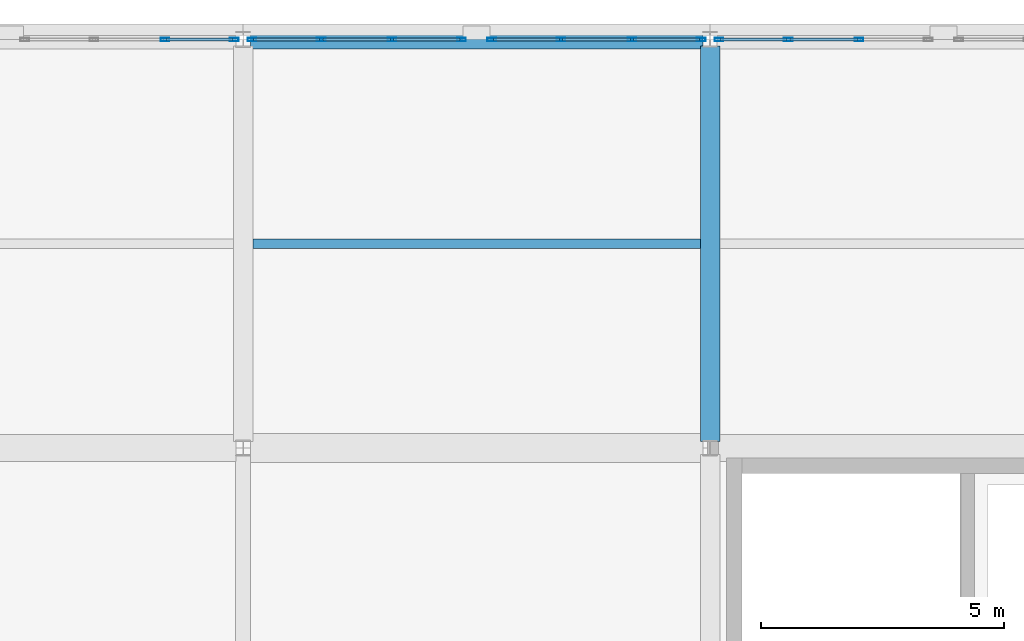
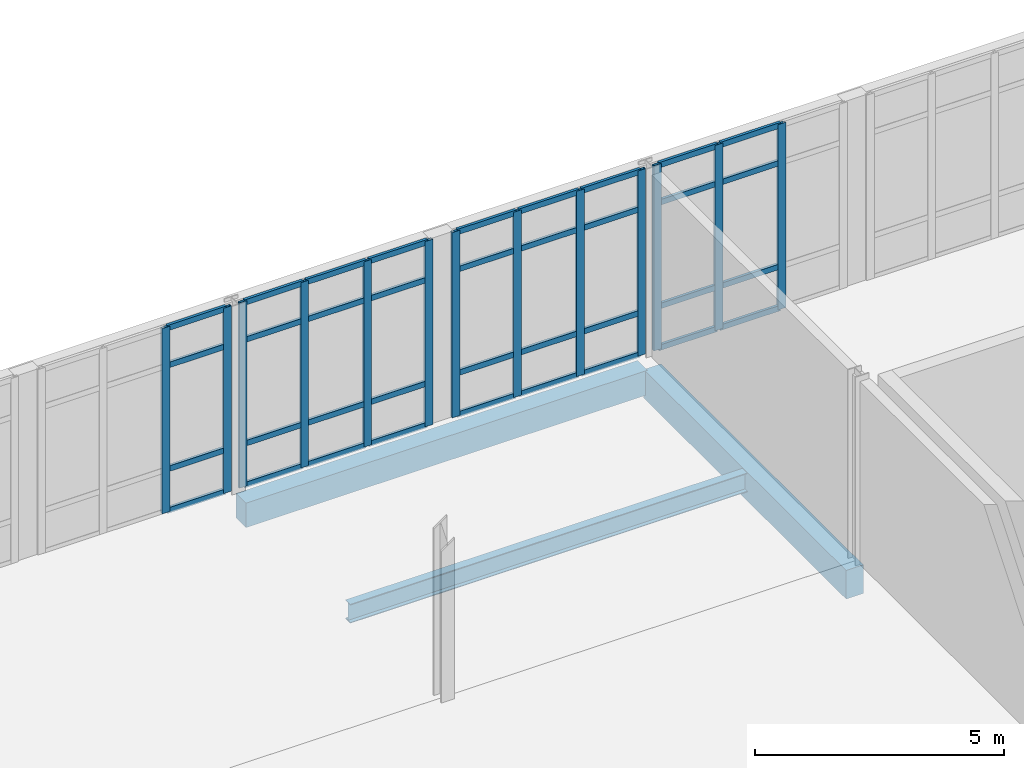
# One storey, part 51 of 88: 49 members, 3 beams, 4 elements without a shape of their own.
"""IFC4 building model written with IfcOpenShell, lengths in metres."""

from ifc_helpers import new_model, si_unit, direction, frame, origin, origin_2d, place, context, subcontext, project, spatial, rectangle, hollow_rectangle, i_section, extrude, material, layer, layer_set, material_profile, profile_set, type_object, element, aggregate, save


model = new_model("IFC4")

# Units and contexts
model_context = context("Model", 3, precision=1e-05, world=origin(), true_north=direction((0.0, 1.0)))
body_context = subcontext(model_context, "Body", "Model", "MODEL_VIEW")
ifc_project = project(units=[si_unit("LENGTHUNIT", "METRE"), si_unit("AREAUNIT", "SQUARE_METRE"), si_unit("VOLUMEUNIT", "CUBIC_METRE"), si_unit("PLANEANGLEUNIT", "RADIAN"), si_unit("MASSUNIT", "GRAM", prefix="KILO")], contexts=[model_context])

# Site, building, storey
site_placement = place(None, origin())
site = spatial("IfcSite", under=ifc_project, at=site_placement, CompositionType="ELEMENT")
building_placement = place(site_placement, origin())
building = spatial("IfcBuilding", under=site, at=building_placement, Name="Lornevale Opera House", CompositionType="ELEMENT")
storey_placement = place(building_placement, frame((0.0, 0.0, 10.199951171875)))
storey = spatial("IfcBuildingStorey", under=building, at=storey_placement, Name="L03", CompositionType="ELEMENT", Elevation=10.199951171875)

# Beams
ifc_material_1 = material(Name="Concrete 35 MPa (CSA A23.1 N)", Category="concrete")
ifc_material_profile_1 = material_profile(ifc_material_1, rectangle(XDim=0.39990234375, YDim=0.699951171875, at=origin_2d()), Name="RC400x700")
ifc_profile_set_1 = profile_set([ifc_material_profile_1], Name="Concrete 35 MPa (CSA A23.1 N)")
beam_type_1 = type_object("IfcBeamType", Name="Concrete Floor Beam 400x700", PredefinedType="USERDEFINED", material=ifc_profile_set_1)
beam_1_placement = place(storey_placement, frame((19.199951171875, 92.53759765625, -0.6298828125), z_axis=(0.0, 1.0, 0.0), x_axis=(-1.0, 0.0, 0.0)))
element("IfcBeam", 1, at=beam_1_placement, inside=storey, type_object=beam_type_1, Name="Concrete Floor Beam 400x700 2244", ObjectType="GIRDER", PredefinedType="USERDEFINED", context=body_context, shape_type="SweptSolid", body=[
    extrude(rectangle(XDim=0.39990234375, YDim=0.699951171875, at=origin_2d()), origin(), (0.0, 0.0, 1.0), 8.125),
])
ifc_material_profile_2 = material_profile(ifc_material_1, rectangle(XDim=0.39990234375, YDim=0.60009765625, at=origin_2d()), Name="RC400x600")
ifc_profile_set_2 = profile_set([ifc_material_profile_2], Name="Concrete 35 MPa (CSA A23.1 N)")
beam_type_2 = type_object("IfcBeamType", Name="Concrete Spandrel Beam 400x600", PredefinedType="SPANDREL", material=ifc_profile_set_2)
beam_2_placement = place(storey_placement, frame((9.7470703125, 100.800048828125, -0.579833984375), z_axis=(1.0, 0.0, 0.0), x_axis=(0.0, 1.0, 0.0)))
element("IfcBeam", 2, at=beam_2_placement, inside=storey, type_object=beam_type_2, Name="Concrete Spandrel Beam 400x600 2215", PredefinedType="SPANDREL", context=body_context, shape_type="SweptSolid", body=[
    extrude(rectangle(XDim=0.39990234375, YDim=0.60009765625, at=origin_2d()), origin(), (0.0, 0.0, 1.0), 9.305908203125),
])

# Curtain wall, members
ifc_material_2 = material(Name="Anodized Oxide-Green Aluminium Framing", Category="aluminium")
ifc_layer = layer(ifc_material_2, 0.175048828125)
ifc_layer_set = layer_set([ifc_layer], Name="Anodized Oxide-Green Aluminium Framing")
curtain_wall_type = type_object("IfcCurtainWallType", Name="Chamber Cloister Curtain Wall M1700", PredefinedType="NOTDEFINED", material=ifc_layer_set)
curtain_wall_1_placement = place(storey_placement, origin())
curtain_wall_1 = element("IfcCurtainWall", 3, at=curtain_wall_1_placement, inside=storey, type_object=curtain_wall_type, Name="Chamber Cloister Curtain Wall M1700 CW-099", PredefinedType="NOTDEFINED")
ifc_material_profile_3 = material_profile(ifc_material_2, hollow_rectangle(XDim=0.06494140625, YDim=0.179931640625, WallThickness=0.0048828125, at=origin_2d()), Name="ALU65x180x5")
ifc_profile_set_3 = profile_set([ifc_material_profile_3], Name="Anodized Oxide-Green Aluminium Framing")
member_type_1 = type_object("IfcMemberType", Name="Curtain Wall Mullion 65x180", PredefinedType="MULLION", material=ifc_profile_set_3)
member_1_placement = place(storey_placement, frame((7.992919921875, 100.800048828125, 0.0), z_axis=(0.0, 0.0, 1.0), x_axis=(0.0, 1.0, 0.0)))
member_1 = element("IfcMember", 4, at=member_1_placement, type_object=member_type_1, Name="Curtain Wall Mullion 65x180 CW1997", PredefinedType="MULLION", context=body_context, shape_type="SweptSolid", body=[
    extrude(hollow_rectangle(XDim=0.06494140625, YDim=0.179931640625, WallThickness=0.0048828125, at=origin_2d()), origin(), (0.0, 0.0, 1.0), 4.5400390625),
])
member_2_placement = place(storey_placement, frame((9.4169921875, 100.800048828125, 0.0), z_axis=(0.0, 0.0, 1.0), x_axis=(0.0, 1.0, 0.0)))
member_2 = element("IfcMember", 5, at=member_2_placement, type_object=member_type_1, Name="Curtain Wall Mullion 65x180 CW1998", PredefinedType="MULLION", context=body_context, shape_type="SweptSolid", body=[
    extrude(hollow_rectangle(XDim=0.06494140625, YDim=0.179931640625, WallThickness=0.0048828125, at=origin_2d()), origin(), (0.0, 0.0, 1.0), 4.5400390625),
])

curtain_wall_2_placement = place(storey_placement, origin())
curtain_wall_2 = element("IfcCurtainWall", 6, at=curtain_wall_2_placement, inside=storey, type_object=curtain_wall_type, Name="Chamber Cloister Curtain Wall M1700 CW-106", PredefinedType="NOTDEFINED")
member_3_placement = place(storey_placement, frame((9.782958984375, 100.800048828125, 0.0), z_axis=(0.0, 0.0, 1.0), x_axis=(0.0, 1.0, 0.0)))
member_3 = element("IfcMember", 7, at=member_3_placement, type_object=member_type_1, Name="Curtain Wall Mullion 65x180 CW2170", PredefinedType="MULLION", context=body_context, shape_type="SweptSolid", body=[
    extrude(hollow_rectangle(XDim=0.06494140625, YDim=0.179931640625, WallThickness=0.0048828125, at=origin_2d()), origin(), (0.0, 0.0, 1.0), 4.5400390625),
])
member_4_placement = place(storey_placement, frame((11.20703125, 100.800048828125, 0.0), z_axis=(0.0, 0.0, 1.0), x_axis=(0.0, 1.0, 0.0)))
member_4 = element("IfcMember", 8, at=member_4_placement, type_object=member_type_1, Name="Curtain Wall Mullion 65x180 CW2171", PredefinedType="MULLION", context=body_context, shape_type="SweptSolid", body=[
    extrude(hollow_rectangle(XDim=0.06494140625, YDim=0.179931640625, WallThickness=0.0048828125, at=origin_2d()), origin(), (0.0, 0.0, 1.0), 4.5400390625),
])
member_5_placement = place(storey_placement, frame((12.66357421875, 100.800048828125, 0.0), z_axis=(0.0, 0.0, 1.0), x_axis=(0.0, 1.0, 0.0)))
member_5 = element("IfcMember", 9, at=member_5_placement, type_object=member_type_1, Name="Curtain Wall Mullion 65x180 CW2172", PredefinedType="MULLION", context=body_context, shape_type="SweptSolid", body=[
    extrude(hollow_rectangle(XDim=0.06494140625, YDim=0.179931640625, WallThickness=0.0048828125, at=origin_2d()), origin(), (0.0, 0.0, 1.0), 4.5400390625),
])
member_6_placement = place(storey_placement, frame((14.08740234375, 100.800048828125, 0.0), z_axis=(0.0, 0.0, 1.0), x_axis=(0.0, 1.0, 0.0)))
member_6 = element("IfcMember", 10, at=member_6_placement, type_object=member_type_1, Name="Curtain Wall Mullion 65x180 CW2173", PredefinedType="MULLION", context=body_context, shape_type="SweptSolid", body=[
    extrude(hollow_rectangle(XDim=0.06494140625, YDim=0.179931640625, WallThickness=0.0048828125, at=origin_2d()), origin(), (0.0, 0.0, 1.0), 4.5400390625),
])

curtain_wall_3_placement = place(storey_placement, origin())
curtain_wall_3 = element("IfcCurtainWall", 11, at=curtain_wall_3_placement, inside=storey, type_object=curtain_wall_type, Name="Chamber Cloister Curtain Wall M1700 CW-107", PredefinedType="NOTDEFINED")
member_7_placement = place(storey_placement, frame((14.71240234375, 100.800048828125, 0.0), z_axis=(0.0, 0.0, 1.0), x_axis=(0.0, 1.0, 0.0)))
member_7 = element("IfcMember", 12, at=member_7_placement, type_object=member_type_1, Name="Curtain Wall Mullion 65x180 CW2195", PredefinedType="MULLION", context=body_context, shape_type="SweptSolid", body=[
    extrude(hollow_rectangle(XDim=0.06494140625, YDim=0.179931640625, WallThickness=0.0048828125, at=origin_2d()), origin(), (0.0, 0.0, 1.0), 4.5400390625),
])
member_8_placement = place(storey_placement, frame((16.136474609375, 100.800048828125, 0.0), z_axis=(0.0, 0.0, 1.0), x_axis=(0.0, 1.0, 0.0)))
member_8 = element("IfcMember", 13, at=member_8_placement, type_object=member_type_1, Name="Curtain Wall Mullion 65x180 CW2196", PredefinedType="MULLION", context=body_context, shape_type="SweptSolid", body=[
    extrude(hollow_rectangle(XDim=0.06494140625, YDim=0.179931640625, WallThickness=0.0048828125, at=origin_2d()), origin(), (0.0, 0.0, 1.0), 4.5400390625),
])
member_9_placement = place(storey_placement, frame((17.593017578125, 100.800048828125, 0.0), z_axis=(0.0, 0.0, 1.0), x_axis=(0.0, 1.0, 0.0)))
member_9 = element("IfcMember", 14, at=member_9_placement, type_object=member_type_1, Name="Curtain Wall Mullion 65x180 CW2197", PredefinedType="MULLION", context=body_context, shape_type="SweptSolid", body=[
    extrude(hollow_rectangle(XDim=0.06494140625, YDim=0.179931640625, WallThickness=0.0048828125, at=origin_2d()), origin(), (0.0, 0.0, 1.0), 4.5400390625),
])
member_10_placement = place(storey_placement, frame((19.01708984375, 100.800048828125, 0.0), z_axis=(0.0, 0.0, 1.0), x_axis=(0.0, 1.0, 0.0)))
member_10 = element("IfcMember", 15, at=member_10_placement, type_object=member_type_1, Name="Curtain Wall Mullion 65x180 CW2198", PredefinedType="MULLION", context=body_context, shape_type="SweptSolid", body=[
    extrude(hollow_rectangle(XDim=0.06494140625, YDim=0.179931640625, WallThickness=0.0048828125, at=origin_2d()), origin(), (0.0, 0.0, 1.0), 4.5400390625),
])

curtain_wall_4_placement = place(storey_placement, origin())
curtain_wall_4 = element("IfcCurtainWall", 16, at=curtain_wall_4_placement, inside=storey, type_object=curtain_wall_type, Name="Chamber Cloister Curtain Wall M1700 CW-114", PredefinedType="NOTDEFINED")
member_11_placement = place(storey_placement, frame((19.383056640625, 100.800048828125, 0.0), z_axis=(0.0, 0.0, 1.0), x_axis=(0.0, 1.0, 0.0)))
member_11 = element("IfcMember", 17, at=member_11_placement, type_object=member_type_1, Name="Curtain Wall Mullion 65x180 CW2370", PredefinedType="MULLION", context=body_context, shape_type="SweptSolid", body=[
    extrude(hollow_rectangle(XDim=0.06494140625, YDim=0.179931640625, WallThickness=0.0048828125, at=origin_2d()), origin(), (0.0, 0.0, 1.0), 4.5400390625),
])
member_12_placement = place(storey_placement, frame((20.806884765625, 100.800048828125, 0.0), z_axis=(0.0, 0.0, 1.0), x_axis=(0.0, 1.0, 0.0)))
member_12 = element("IfcMember", 18, at=member_12_placement, type_object=member_type_1, Name="Curtain Wall Mullion 65x180 CW2371", PredefinedType="MULLION", context=body_context, shape_type="SweptSolid", body=[
    extrude(hollow_rectangle(XDim=0.06494140625, YDim=0.179931640625, WallThickness=0.0048828125, at=origin_2d()), origin(), (0.0, 0.0, 1.0), 4.5400390625),
])
member_13_placement = place(storey_placement, frame((22.263427734375, 100.800048828125, 0.0), z_axis=(0.0, 0.0, 1.0), x_axis=(0.0, 1.0, 0.0)))
member_13 = element("IfcMember", 19, at=member_13_placement, type_object=member_type_1, Name="Curtain Wall Mullion 65x180 CW2372", PredefinedType="MULLION", context=body_context, shape_type="SweptSolid", body=[
    extrude(hollow_rectangle(XDim=0.06494140625, YDim=0.179931640625, WallThickness=0.0048828125, at=origin_2d()), origin(), (0.0, 0.0, 1.0), 4.5400390625),
])

# Member
ifc_material_profile_4 = material_profile(ifc_material_2, hollow_rectangle(XDim=0.06494140625, YDim=0.135009765625, WallThickness=0.00390625, at=origin_2d()), Name="ALU65x135x4")
ifc_profile_set_4 = profile_set([ifc_material_profile_4], Name="Anodized Oxide-Green Aluminium Framing")
member_type_2 = type_object("IfcMemberType", Name="Curtain Wall Transom 65x135", PredefinedType="USERDEFINED", material=ifc_profile_set_4)
member_14_placement = place(storey_placement, frame((8.025390625, 100.800048828125, 0.032470703125), z_axis=(1.0, 0.0, 0.0), x_axis=(0.0, 1.0, 0.0)))
member_14 = element("IfcMember", 20, at=member_14_placement, type_object=member_type_2, Name="Curtain Wall Transom 65x135 CW2013", ObjectType="TRANSOM", PredefinedType="USERDEFINED", context=body_context, shape_type="SweptSolid", body=[
    extrude(hollow_rectangle(XDim=0.06494140625, YDim=0.135009765625, WallThickness=0.00390625, at=origin_2d()), origin(), (0.0, 0.0, 1.0), 1.359130859375),
])

member_15_placement = place(storey_placement, frame((8.025390625, 100.800048828125, 1.050048828125), z_axis=(1.0, 0.0, 0.0), x_axis=(0.0, 1.0, 0.0)))
member_15 = element("IfcMember", 21, at=member_15_placement, type_object=member_type_2, Name="Curtain Wall Transom 65x135 CW2014", ObjectType="TRANSOM", PredefinedType="USERDEFINED", context=body_context, shape_type="SweptSolid", body=[
    extrude(hollow_rectangle(XDim=0.06494140625, YDim=0.135009765625, WallThickness=0.00390625, at=origin_2d()), origin(), (0.0, 0.0, 1.0), 1.359130859375),
])

member_16_placement = place(storey_placement, frame((8.025390625, 100.800048828125, 3.590087890625), z_axis=(1.0, 0.0, 0.0), x_axis=(0.0, 1.0, 0.0)))
member_16 = element("IfcMember", 22, at=member_16_placement, type_object=member_type_2, Name="Curtain Wall Transom 65x135 CW2015", ObjectType="TRANSOM", PredefinedType="USERDEFINED", context=body_context, shape_type="SweptSolid", body=[
    extrude(hollow_rectangle(XDim=0.06494140625, YDim=0.135009765625, WallThickness=0.00390625, at=origin_2d()), origin(), (0.0, 0.0, 1.0), 1.359130859375),
])

member_17_placement = place(storey_placement, frame((8.025390625, 100.800048828125, 4.507568359375), z_axis=(1.0, 0.0, 0.0), x_axis=(0.0, 1.0, 0.0)))
member_17 = element("IfcMember", 23, at=member_17_placement, type_object=member_type_2, Name="Curtain Wall Transom 65x135 CW2016", ObjectType="TRANSOM", PredefinedType="USERDEFINED", context=body_context, shape_type="SweptSolid", body=[
    extrude(hollow_rectangle(XDim=0.06494140625, YDim=0.135009765625, WallThickness=0.00390625, at=origin_2d()), origin(), (0.0, 0.0, 1.0), 1.359130859375),
])

aggregate(curtain_wall_1, [member_1, member_2, member_14, member_15, member_16, member_17])

member_18_placement = place(storey_placement, frame((9.8154296875, 100.800048828125, 0.032470703125), z_axis=(1.0, 0.0, 0.0), x_axis=(0.0, 1.0, 0.0)))
member_18 = element("IfcMember", 24, at=member_18_placement, type_object=member_type_2, Name="Curtain Wall Transom 65x135 CW2174", ObjectType="TRANSOM", PredefinedType="USERDEFINED", context=body_context, shape_type="SweptSolid", body=[
    extrude(hollow_rectangle(XDim=0.06494140625, YDim=0.135009765625, WallThickness=0.00390625, at=origin_2d()), origin(), (0.0, 0.0, 1.0), 1.359130859375),
])

member_19_placement = place(storey_placement, frame((9.8154296875, 100.800048828125, 1.050048828125), z_axis=(1.0, 0.0, 0.0), x_axis=(0.0, 1.0, 0.0)))
member_19 = element("IfcMember", 25, at=member_19_placement, type_object=member_type_2, Name="Curtain Wall Transom 65x135 CW2175", ObjectType="TRANSOM", PredefinedType="USERDEFINED", context=body_context, shape_type="SweptSolid", body=[
    extrude(hollow_rectangle(XDim=0.06494140625, YDim=0.135009765625, WallThickness=0.00390625, at=origin_2d()), origin(), (0.0, 0.0, 1.0), 1.359130859375),
])

member_20_placement = place(storey_placement, frame((9.8154296875, 100.800048828125, 3.590087890625), z_axis=(1.0, 0.0, 0.0), x_axis=(0.0, 1.0, 0.0)))
member_20 = element("IfcMember", 26, at=member_20_placement, type_object=member_type_2, Name="Curtain Wall Transom 65x135 CW2176", ObjectType="TRANSOM", PredefinedType="USERDEFINED", context=body_context, shape_type="SweptSolid", body=[
    extrude(hollow_rectangle(XDim=0.06494140625, YDim=0.135009765625, WallThickness=0.00390625, at=origin_2d()), origin(), (0.0, 0.0, 1.0), 1.359130859375),
])

member_21_placement = place(storey_placement, frame((9.8154296875, 100.800048828125, 4.507568359375), z_axis=(1.0, 0.0, 0.0), x_axis=(0.0, 1.0, 0.0)))
member_21 = element("IfcMember", 27, at=member_21_placement, type_object=member_type_2, Name="Curtain Wall Transom 65x135 CW2177", ObjectType="TRANSOM", PredefinedType="USERDEFINED", context=body_context, shape_type="SweptSolid", body=[
    extrude(hollow_rectangle(XDim=0.06494140625, YDim=0.135009765625, WallThickness=0.00390625, at=origin_2d()), origin(), (0.0, 0.0, 1.0), 1.359130859375),
])

member_22_placement = place(storey_placement, frame((11.239501953125, 100.800048828125, 0.032470703125), z_axis=(1.0, 0.0, 0.0), x_axis=(0.0, 1.0, 0.0)))
member_22 = element("IfcMember", 28, at=member_22_placement, type_object=member_type_2, Name="Curtain Wall Transom 65x135 CW2181", ObjectType="TRANSOM", PredefinedType="USERDEFINED", context=body_context, shape_type="SweptSolid", body=[
    extrude(hollow_rectangle(XDim=0.06494140625, YDim=0.135009765625, WallThickness=0.00390625, at=origin_2d()), origin(), (0.0, 0.0, 1.0), 1.3916015625),
])

member_23_placement = place(storey_placement, frame((11.239501953125, 100.800048828125, 1.050048828125), z_axis=(1.0, 0.0, 0.0), x_axis=(0.0, 1.0, 0.0)))
member_23 = element("IfcMember", 29, at=member_23_placement, type_object=member_type_2, Name="Curtain Wall Transom 65x135 CW2182", ObjectType="TRANSOM", PredefinedType="USERDEFINED", context=body_context, shape_type="SweptSolid", body=[
    extrude(hollow_rectangle(XDim=0.06494140625, YDim=0.135009765625, WallThickness=0.00390625, at=origin_2d()), origin(), (0.0, 0.0, 1.0), 1.3916015625),
])

member_24_placement = place(storey_placement, frame((11.239501953125, 100.800048828125, 3.590087890625), z_axis=(1.0, 0.0, 0.0), x_axis=(0.0, 1.0, 0.0)))
member_24 = element("IfcMember", 30, at=member_24_placement, type_object=member_type_2, Name="Curtain Wall Transom 65x135 CW2183", ObjectType="TRANSOM", PredefinedType="USERDEFINED", context=body_context, shape_type="SweptSolid", body=[
    extrude(hollow_rectangle(XDim=0.06494140625, YDim=0.135009765625, WallThickness=0.00390625, at=origin_2d()), origin(), (0.0, 0.0, 1.0), 1.3916015625),
])

member_25_placement = place(storey_placement, frame((11.239501953125, 100.800048828125, 4.507568359375), z_axis=(1.0, 0.0, 0.0), x_axis=(0.0, 1.0, 0.0)))
member_25 = element("IfcMember", 31, at=member_25_placement, type_object=member_type_2, Name="Curtain Wall Transom 65x135 CW2184", ObjectType="TRANSOM", PredefinedType="USERDEFINED", context=body_context, shape_type="SweptSolid", body=[
    extrude(hollow_rectangle(XDim=0.06494140625, YDim=0.135009765625, WallThickness=0.00390625, at=origin_2d()), origin(), (0.0, 0.0, 1.0), 1.3916015625),
])

member_26_placement = place(storey_placement, frame((12.696044921875, 100.800048828125, 0.032470703125), z_axis=(1.0, 0.0, 0.0), x_axis=(0.0, 1.0, 0.0)))
member_26 = element("IfcMember", 32, at=member_26_placement, type_object=member_type_2, Name="Curtain Wall Transom 65x135 CW2188", ObjectType="TRANSOM", PredefinedType="USERDEFINED", context=body_context, shape_type="SweptSolid", body=[
    extrude(hollow_rectangle(XDim=0.06494140625, YDim=0.135009765625, WallThickness=0.00390625, at=origin_2d()), origin(), (0.0, 0.0, 1.0), 1.35888671875),
])

member_27_placement = place(storey_placement, frame((12.696044921875, 100.800048828125, 1.050048828125), z_axis=(1.0, 0.0, 0.0), x_axis=(0.0, 1.0, 0.0)))
member_27 = element("IfcMember", 33, at=member_27_placement, type_object=member_type_2, Name="Curtain Wall Transom 65x135 CW2189", ObjectType="TRANSOM", PredefinedType="USERDEFINED", context=body_context, shape_type="SweptSolid", body=[
    extrude(hollow_rectangle(XDim=0.06494140625, YDim=0.135009765625, WallThickness=0.00390625, at=origin_2d()), origin(), (0.0, 0.0, 1.0), 1.35888671875),
])

member_28_placement = place(storey_placement, frame((12.696044921875, 100.800048828125, 3.590087890625), z_axis=(1.0, 0.0, 0.0), x_axis=(0.0, 1.0, 0.0)))
member_28 = element("IfcMember", 34, at=member_28_placement, type_object=member_type_2, Name="Curtain Wall Transom 65x135 CW2190", ObjectType="TRANSOM", PredefinedType="USERDEFINED", context=body_context, shape_type="SweptSolid", body=[
    extrude(hollow_rectangle(XDim=0.06494140625, YDim=0.135009765625, WallThickness=0.00390625, at=origin_2d()), origin(), (0.0, 0.0, 1.0), 1.35888671875),
])

member_29_placement = place(storey_placement, frame((12.696044921875, 100.800048828125, 4.507568359375), z_axis=(1.0, 0.0, 0.0), x_axis=(0.0, 1.0, 0.0)))
member_29 = element("IfcMember", 35, at=member_29_placement, type_object=member_type_2, Name="Curtain Wall Transom 65x135 CW2191", ObjectType="TRANSOM", PredefinedType="USERDEFINED", context=body_context, shape_type="SweptSolid", body=[
    extrude(hollow_rectangle(XDim=0.06494140625, YDim=0.135009765625, WallThickness=0.00390625, at=origin_2d()), origin(), (0.0, 0.0, 1.0), 1.35888671875),
])

aggregate(curtain_wall_2, [member_3, member_4, member_5, member_6, member_18, member_19, member_20, member_21, member_22, member_23, member_24, member_25, member_26, member_27, member_28, member_29])

member_30_placement = place(storey_placement, frame((14.7451171875, 100.800048828125, 0.032470703125), z_axis=(1.0, 0.0, 0.0), x_axis=(0.0, 1.0, 0.0)))
member_30 = element("IfcMember", 36, at=member_30_placement, type_object=member_type_2, Name="Curtain Wall Transom 65x135 CW2199", ObjectType="TRANSOM", PredefinedType="USERDEFINED", context=body_context, shape_type="SweptSolid", body=[
    extrude(hollow_rectangle(XDim=0.06494140625, YDim=0.135009765625, WallThickness=0.00390625, at=origin_2d()), origin(), (0.0, 0.0, 1.0), 1.35888671875),
])

member_31_placement = place(storey_placement, frame((14.7451171875, 100.800048828125, 1.050048828125), z_axis=(1.0, 0.0, 0.0), x_axis=(0.0, 1.0, 0.0)))
member_31 = element("IfcMember", 37, at=member_31_placement, type_object=member_type_2, Name="Curtain Wall Transom 65x135 CW2200", ObjectType="TRANSOM", PredefinedType="USERDEFINED", context=body_context, shape_type="SweptSolid", body=[
    extrude(hollow_rectangle(XDim=0.06494140625, YDim=0.135009765625, WallThickness=0.00390625, at=origin_2d()), origin(), (0.0, 0.0, 1.0), 1.35888671875),
])

member_32_placement = place(storey_placement, frame((14.7451171875, 100.800048828125, 3.590087890625), z_axis=(1.0, 0.0, 0.0), x_axis=(0.0, 1.0, 0.0)))
member_32 = element("IfcMember", 38, at=member_32_placement, type_object=member_type_2, Name="Curtain Wall Transom 65x135 CW2201", ObjectType="TRANSOM", PredefinedType="USERDEFINED", context=body_context, shape_type="SweptSolid", body=[
    extrude(hollow_rectangle(XDim=0.06494140625, YDim=0.135009765625, WallThickness=0.00390625, at=origin_2d()), origin(), (0.0, 0.0, 1.0), 1.35888671875),
])

member_33_placement = place(storey_placement, frame((14.7451171875, 100.800048828125, 4.507568359375), z_axis=(1.0, 0.0, 0.0), x_axis=(0.0, 1.0, 0.0)))
member_33 = element("IfcMember", 39, at=member_33_placement, type_object=member_type_2, Name="Curtain Wall Transom 65x135 CW2202", ObjectType="TRANSOM", PredefinedType="USERDEFINED", context=body_context, shape_type="SweptSolid", body=[
    extrude(hollow_rectangle(XDim=0.06494140625, YDim=0.135009765625, WallThickness=0.00390625, at=origin_2d()), origin(), (0.0, 0.0, 1.0), 1.35888671875),
])

member_34_placement = place(storey_placement, frame((16.1689453125, 100.800048828125, 0.032470703125), z_axis=(1.0, 0.0, 0.0), x_axis=(0.0, 1.0, 0.0)))
member_34 = element("IfcMember", 40, at=member_34_placement, type_object=member_type_2, Name="Curtain Wall Transom 65x135 CW2206", ObjectType="TRANSOM", PredefinedType="USERDEFINED", context=body_context, shape_type="SweptSolid", body=[
    extrude(hollow_rectangle(XDim=0.06494140625, YDim=0.135009765625, WallThickness=0.00390625, at=origin_2d()), origin(), (0.0, 0.0, 1.0), 1.3916015625),
])

member_35_placement = place(storey_placement, frame((16.1689453125, 100.800048828125, 1.050048828125), z_axis=(1.0, 0.0, 0.0), x_axis=(0.0, 1.0, 0.0)))
member_35 = element("IfcMember", 41, at=member_35_placement, type_object=member_type_2, Name="Curtain Wall Transom 65x135 CW2207", ObjectType="TRANSOM", PredefinedType="USERDEFINED", context=body_context, shape_type="SweptSolid", body=[
    extrude(hollow_rectangle(XDim=0.06494140625, YDim=0.135009765625, WallThickness=0.00390625, at=origin_2d()), origin(), (0.0, 0.0, 1.0), 1.3916015625),
])

member_36_placement = place(storey_placement, frame((16.1689453125, 100.800048828125, 3.590087890625), z_axis=(1.0, 0.0, 0.0), x_axis=(0.0, 1.0, 0.0)))
member_36 = element("IfcMember", 42, at=member_36_placement, type_object=member_type_2, Name="Curtain Wall Transom 65x135 CW2208", ObjectType="TRANSOM", PredefinedType="USERDEFINED", context=body_context, shape_type="SweptSolid", body=[
    extrude(hollow_rectangle(XDim=0.06494140625, YDim=0.135009765625, WallThickness=0.00390625, at=origin_2d()), origin(), (0.0, 0.0, 1.0), 1.3916015625),
])

member_37_placement = place(storey_placement, frame((16.1689453125, 100.800048828125, 4.507568359375), z_axis=(1.0, 0.0, 0.0), x_axis=(0.0, 1.0, 0.0)))
member_37 = element("IfcMember", 43, at=member_37_placement, type_object=member_type_2, Name="Curtain Wall Transom 65x135 CW2209", ObjectType="TRANSOM", PredefinedType="USERDEFINED", context=body_context, shape_type="SweptSolid", body=[
    extrude(hollow_rectangle(XDim=0.06494140625, YDim=0.135009765625, WallThickness=0.00390625, at=origin_2d()), origin(), (0.0, 0.0, 1.0), 1.3916015625),
])

member_38_placement = place(storey_placement, frame((17.62548828125, 100.800048828125, 0.032470703125), z_axis=(1.0, 0.0, 0.0), x_axis=(0.0, 1.0, 0.0)))
member_38 = element("IfcMember", 44, at=member_38_placement, type_object=member_type_2, Name="Curtain Wall Transom 65x135 CW2213", ObjectType="TRANSOM", PredefinedType="USERDEFINED", context=body_context, shape_type="SweptSolid", body=[
    extrude(hollow_rectangle(XDim=0.06494140625, YDim=0.135009765625, WallThickness=0.00390625, at=origin_2d()), origin(), (0.0, 0.0, 1.0), 1.359130859375),
])

member_39_placement = place(storey_placement, frame((17.62548828125, 100.800048828125, 1.050048828125), z_axis=(1.0, 0.0, 0.0), x_axis=(0.0, 1.0, 0.0)))
member_39 = element("IfcMember", 45, at=member_39_placement, type_object=member_type_2, Name="Curtain Wall Transom 65x135 CW2214", ObjectType="TRANSOM", PredefinedType="USERDEFINED", context=body_context, shape_type="SweptSolid", body=[
    extrude(hollow_rectangle(XDim=0.06494140625, YDim=0.135009765625, WallThickness=0.00390625, at=origin_2d()), origin(), (0.0, 0.0, 1.0), 1.359130859375),
])

member_40_placement = place(storey_placement, frame((17.62548828125, 100.800048828125, 3.590087890625), z_axis=(1.0, 0.0, 0.0), x_axis=(0.0, 1.0, 0.0)))
member_40 = element("IfcMember", 46, at=member_40_placement, type_object=member_type_2, Name="Curtain Wall Transom 65x135 CW2215", ObjectType="TRANSOM", PredefinedType="USERDEFINED", context=body_context, shape_type="SweptSolid", body=[
    extrude(hollow_rectangle(XDim=0.06494140625, YDim=0.135009765625, WallThickness=0.00390625, at=origin_2d()), origin(), (0.0, 0.0, 1.0), 1.359130859375),
])

member_41_placement = place(storey_placement, frame((17.62548828125, 100.800048828125, 4.507568359375), z_axis=(1.0, 0.0, 0.0), x_axis=(0.0, 1.0, 0.0)))
member_41 = element("IfcMember", 47, at=member_41_placement, type_object=member_type_2, Name="Curtain Wall Transom 65x135 CW2216", ObjectType="TRANSOM", PredefinedType="USERDEFINED", context=body_context, shape_type="SweptSolid", body=[
    extrude(hollow_rectangle(XDim=0.06494140625, YDim=0.135009765625, WallThickness=0.00390625, at=origin_2d()), origin(), (0.0, 0.0, 1.0), 1.359130859375),
])

aggregate(curtain_wall_3, [member_7, member_8, member_9, member_10, member_30, member_31, member_32, member_33, member_34, member_35, member_36, member_37, member_38, member_39, member_40, member_41])

member_42_placement = place(storey_placement, frame((19.41552734375, 100.800048828125, 0.032470703125), z_axis=(1.0, 0.0, 0.0), x_axis=(0.0, 1.0, 0.0)))
member_42 = element("IfcMember", 48, at=member_42_placement, type_object=member_type_2, Name="Curtain Wall Transom 65x135 CW2374", ObjectType="TRANSOM", PredefinedType="USERDEFINED", context=body_context, shape_type="SweptSolid", body=[
    extrude(hollow_rectangle(XDim=0.06494140625, YDim=0.135009765625, WallThickness=0.00390625, at=origin_2d()), origin(), (0.0, 0.0, 1.0), 1.35888671875),
])

member_43_placement = place(storey_placement, frame((19.41552734375, 100.800048828125, 1.050048828125), z_axis=(1.0, 0.0, 0.0), x_axis=(0.0, 1.0, 0.0)))
member_43 = element("IfcMember", 49, at=member_43_placement, type_object=member_type_2, Name="Curtain Wall Transom 65x135 CW2375", ObjectType="TRANSOM", PredefinedType="USERDEFINED", context=body_context, shape_type="SweptSolid", body=[
    extrude(hollow_rectangle(XDim=0.06494140625, YDim=0.135009765625, WallThickness=0.00390625, at=origin_2d()), origin(), (0.0, 0.0, 1.0), 1.35888671875),
])

member_44_placement = place(storey_placement, frame((19.41552734375, 100.800048828125, 3.590087890625), z_axis=(1.0, 0.0, 0.0), x_axis=(0.0, 1.0, 0.0)))
member_44 = element("IfcMember", 50, at=member_44_placement, type_object=member_type_2, Name="Curtain Wall Transom 65x135 CW2376", ObjectType="TRANSOM", PredefinedType="USERDEFINED", context=body_context, shape_type="SweptSolid", body=[
    extrude(hollow_rectangle(XDim=0.06494140625, YDim=0.135009765625, WallThickness=0.00390625, at=origin_2d()), origin(), (0.0, 0.0, 1.0), 1.35888671875),
])

member_45_placement = place(storey_placement, frame((19.41552734375, 100.800048828125, 4.507568359375), z_axis=(1.0, 0.0, 0.0), x_axis=(0.0, 1.0, 0.0)))
member_45 = element("IfcMember", 51, at=member_45_placement, type_object=member_type_2, Name="Curtain Wall Transom 65x135 CW2377", ObjectType="TRANSOM", PredefinedType="USERDEFINED", context=body_context, shape_type="SweptSolid", body=[
    extrude(hollow_rectangle(XDim=0.06494140625, YDim=0.135009765625, WallThickness=0.00390625, at=origin_2d()), origin(), (0.0, 0.0, 1.0), 1.35888671875),
])

member_46_placement = place(storey_placement, frame((20.839599609375, 100.800048828125, 0.032470703125), z_axis=(1.0, 0.0, 0.0), x_axis=(0.0, 1.0, 0.0)))
member_46 = element("IfcMember", 52, at=member_46_placement, type_object=member_type_2, Name="Curtain Wall Transom 65x135 CW2381", ObjectType="TRANSOM", PredefinedType="USERDEFINED", context=body_context, shape_type="SweptSolid", body=[
    extrude(hollow_rectangle(XDim=0.06494140625, YDim=0.135009765625, WallThickness=0.00390625, at=origin_2d()), origin(), (0.0, 0.0, 1.0), 1.391357421875),
])

member_47_placement = place(storey_placement, frame((20.839599609375, 100.800048828125, 1.050048828125), z_axis=(1.0, 0.0, 0.0), x_axis=(0.0, 1.0, 0.0)))
member_47 = element("IfcMember", 53, at=member_47_placement, type_object=member_type_2, Name="Curtain Wall Transom 65x135 CW2382", ObjectType="TRANSOM", PredefinedType="USERDEFINED", context=body_context, shape_type="SweptSolid", body=[
    extrude(hollow_rectangle(XDim=0.06494140625, YDim=0.135009765625, WallThickness=0.00390625, at=origin_2d()), origin(), (0.0, 0.0, 1.0), 1.391357421875),
])

member_48_placement = place(storey_placement, frame((20.839599609375, 100.800048828125, 3.590087890625), z_axis=(1.0, 0.0, 0.0), x_axis=(0.0, 1.0, 0.0)))
member_48 = element("IfcMember", 54, at=member_48_placement, type_object=member_type_2, Name="Curtain Wall Transom 65x135 CW2383", ObjectType="TRANSOM", PredefinedType="USERDEFINED", context=body_context, shape_type="SweptSolid", body=[
    extrude(hollow_rectangle(XDim=0.06494140625, YDim=0.135009765625, WallThickness=0.00390625, at=origin_2d()), origin(), (0.0, 0.0, 1.0), 1.391357421875),
])

member_49_placement = place(storey_placement, frame((20.839599609375, 100.800048828125, 4.507568359375), z_axis=(1.0, 0.0, 0.0), x_axis=(0.0, 1.0, 0.0)))
member_49 = element("IfcMember", 55, at=member_49_placement, type_object=member_type_2, Name="Curtain Wall Transom 65x135 CW2384", ObjectType="TRANSOM", PredefinedType="USERDEFINED", context=body_context, shape_type="SweptSolid", body=[
    extrude(hollow_rectangle(XDim=0.06494140625, YDim=0.135009765625, WallThickness=0.00390625, at=origin_2d()), origin(), (0.0, 0.0, 1.0), 1.391357421875),
])

aggregate(curtain_wall_4, [member_11, member_12, member_13, member_42, member_43, member_44, member_45, member_46, member_47, member_48, member_49])

# Beam
ifc_material_3 = material(Name="Structural Steel CSA G40.21 Grade 350W (350 MPa)", Category="steel")
ifc_material_profile_5 = material_profile(ifc_material_3, i_section(OverallWidth=0.19189453125, OverallDepth=0.462890625, WebThickness=0.010498046875, FlangeThickness=0.017578125, at=origin_2d()), Name="W460x89")
ifc_profile_set_5 = profile_set([ifc_material_profile_5], Name="Structural Steel CSA G40.21 Grade 350W (350 MPa)")
beam_type_3 = type_object("IfcBeamType", Name="Steel Floor Joist W460x89", PredefinedType="JOIST", material=ifc_profile_set_5)
beam_3_placement = place(storey_placement, frame((9.800048828125, 96.60009765625, -0.5263671875), z_axis=(1.0, 0.0, 0.0), x_axis=(0.0, 1.0, 0.0)))
element("IfcBeam", 56, at=beam_3_placement, inside=storey, type_object=beam_type_3, Name="Steel Floor Joist W460x89 2371", PredefinedType="JOIST", context=body_context, shape_type="SweptSolid", body=[
    extrude(i_section(OverallWidth=0.19189453125, OverallDepth=0.462890625, WebThickness=0.010498046875, FlangeThickness=0.017578125, at=origin_2d()), origin(), (0.0, 0.0, 1.0), 9.199951171875),
])

save(model, "model.ifc")
